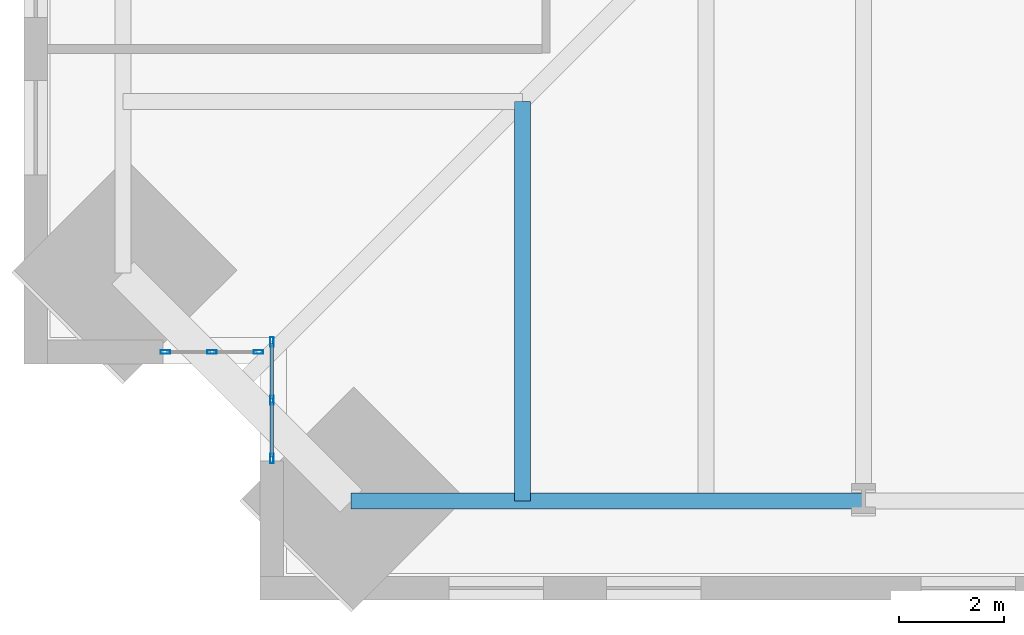
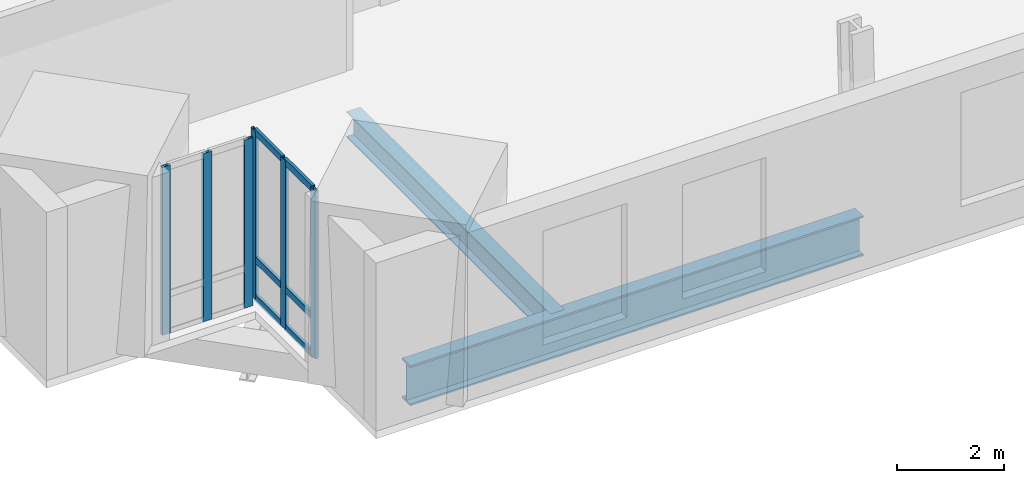
# One storey, part 2 of 15: 12 members, 2 beams, 2 elements without a shape of their own.
"""IFC4 building model written with IfcOpenShell, lengths in metres."""

from ifc_helpers import new_model, si_unit, direction, frame, origin, origin_2d, place, context, subcontext, project, spatial, hollow_rectangle, i_section, extrude, material, material_profile, profile_set, type_object, element, aggregate, save


model = new_model("IFC4")

# Units and contexts
model_context = context("Model", 3, precision=1e-05, world=origin(), true_north=direction((0.0, 1.0)))
body_context = subcontext(model_context, "Body", "Model", "MODEL_VIEW")
ifc_project = project(units=[si_unit("LENGTHUNIT", "METRE"), si_unit("AREAUNIT", "SQUARE_METRE"), si_unit("VOLUMEUNIT", "CUBIC_METRE"), si_unit("PLANEANGLEUNIT", "RADIAN"), si_unit("MASSUNIT", "GRAM", prefix="KILO")], contexts=[model_context])

# Site, building, storey
site_placement = place(None, origin())
site = spatial("IfcSite", under=ifc_project, at=site_placement, CompositionType="ELEMENT")
building_placement = place(site_placement, origin())
building = spatial("IfcBuilding", under=site, at=building_placement, Name="Peilmerk Tower", CompositionType="ELEMENT")
storey_placement = place(building_placement, frame((0.0, 0.0, 217.800048828125)))
storey = spatial("IfcBuildingStorey", under=building, at=storey_placement, Name="L47", CompositionType="ELEMENT", Elevation=217.800048828125)

# Beams
ifc_material_1 = material(Name="Steel S355", Category="steel")
ifc_material_profile_1 = material_profile(ifc_material_1, i_section(OverallWidth=0.302001953125, OverallDepth=0.909912109375, WebThickness=0.02099609375, FlangeThickness=0.0400390625, at=origin_2d()), Name="HEM 900")
ifc_profile_set_1 = profile_set([ifc_material_profile_1], Name="Steel S355")
beam_type_1 = type_object("IfcBeamType", Name="B2 HEM 900 edge beam", PredefinedType="SPANDREL", material=ifc_profile_set_1)
beam_1_placement = place(storey_placement, frame((-17.764404296875, -22.114501953125, -0.625), z_axis=(1.0, 0.0, 0.0), x_axis=(0.0, 1.0, 0.0)))
element("IfcBeam", 1, at=beam_1_placement, inside=storey, type_object=beam_type_1, Name="Edge beam L47", PredefinedType="SPANDREL", context=body_context, shape_type="SweptSolid", body=[
    extrude(i_section(OverallWidth=0.302001953125, OverallDepth=0.909912109375, WebThickness=0.02099609375, FlangeThickness=0.0400390625, at=origin_2d()), origin(), (0.0, 0.0, 1.0), 9.764404296875),
])
ifc_material_profile_2 = material_profile(ifc_material_1, i_section(OverallWidth=0.300048828125, OverallDepth=0.590087890625, WebThickness=0.012939453125, FlangeThickness=0.02490234375, at=origin_2d()), Name="HEA 600")
ifc_profile_set_2 = profile_set([ifc_material_profile_2], Name="Steel S355")
beam_type_2 = type_object("IfcBeamType", Name="B27 HEA 600 floor beam", PredefinedType="BEAM", material=ifc_profile_set_2)
beam_2_placement = place(storey_placement, frame((-14.5, -14.5, -0.465087890625), z_axis=(0.0, -1.0, 0.0), x_axis=(1.0, 0.0, 0.0)))
element("IfcBeam", 2, at=beam_2_placement, inside=storey, type_object=beam_type_2, Name="Floor beam L47", PredefinedType="BEAM", context=body_context, shape_type="SweptSolid", body=[
    extrude(i_section(OverallWidth=0.300048828125, OverallDepth=0.590087890625, WebThickness=0.012939453125, FlangeThickness=0.02490234375, at=origin_2d()), origin(), (0.0, 0.0, 1.0), 7.614501953125),
])

# Curtain wall, members
ifc_material_2 = material(Name="Aluminium stick curtain wall", Category="aluminium")
curtain_wall_type = type_object("IfcCurtainWallType", Name="CW4 stick curtain wall, 2250 module", PredefinedType="NOTDEFINED", material=ifc_material_2)
curtain_wall_1_placement = place(storey_placement, origin())
curtain_wall_1 = element("IfcCurtainWall", 3, at=curtain_wall_1_placement, inside=storey, type_object=curtain_wall_type, Name="Curtain wall CW4 SWA L47", PredefinedType="NOTDEFINED")
ifc_material_3 = material(Name="Aluminium EN AW-6063 T6", Category="aluminium")
ifc_material_profile_3 = material_profile(ifc_material_3, hollow_rectangle(XDim=0.06494140625, YDim=0.179931640625, WallThickness=0.0029296875, at=origin_2d()), Name="AL 180x65x3")
ifc_profile_set_3 = profile_set([ifc_material_profile_3], Name="Aluminium EN AW-6063 T6")
member_type_1 = type_object("IfcMemberType", Name="CW4-M AL 180x65x3 mullion", PredefinedType="MULLION", material=ifc_profile_set_3)
member_1_placement = place(storey_placement, frame((-19.27490234375, -19.08251953125, 0.0), z_axis=(0.0, 0.0, 1.0), x_axis=(1.0, 0.0, 0.0)))
member_1 = element("IfcMember", 4, at=member_1_placement, type_object=member_type_1, Name="CW4 mullion 1", PredefinedType="MULLION", context=body_context, shape_type="SweptSolid", body=[
    extrude(hollow_rectangle(XDim=0.06494140625, YDim=0.179931640625, WallThickness=0.0029296875, at=origin_2d()), origin(), (0.0, 0.0, 1.0), 3.829833984375),
])
member_2_placement = place(storey_placement, frame((-19.27490234375, -20.1943359375, 0.0), z_axis=(0.0, 0.0, 1.0), x_axis=(1.0, 0.0, 0.0)))
member_2 = element("IfcMember", 5, at=member_2_placement, type_object=member_type_1, Name="CW4 mullion 2", PredefinedType="MULLION", context=body_context, shape_type="SweptSolid", body=[
    extrude(hollow_rectangle(XDim=0.06494140625, YDim=0.179931640625, WallThickness=0.0029296875, at=origin_2d()), origin(), (0.0, 0.0, 1.0), 3.829833984375),
])
member_3_placement = place(storey_placement, frame((-19.27490234375, -21.30615234375, 0.0), z_axis=(0.0, 0.0, 1.0), x_axis=(1.0, 0.0, 0.0)))
member_3 = element("IfcMember", 6, at=member_3_placement, type_object=member_type_1, Name="CW4 mullion 3", PredefinedType="MULLION", context=body_context, shape_type="SweptSolid", body=[
    extrude(hollow_rectangle(XDim=0.06494140625, YDim=0.179931640625, WallThickness=0.0029296875, at=origin_2d()), origin(), (0.0, 0.0, 1.0), 3.829833984375),
])

curtain_wall_2_placement = place(storey_placement, origin())
curtain_wall_2 = element("IfcCurtainWall", 7, at=curtain_wall_2_placement, inside=storey, type_object=curtain_wall_type, Name="Curtain wall CW4 SWB L47", PredefinedType="NOTDEFINED")
member_4_placement = place(storey_placement, frame((-19.532470703125, -19.27490234375, 0.0), z_axis=(0.0, 0.0, 1.0), x_axis=(0.0, -1.0, 0.0)))
member_4 = element("IfcMember", 8, at=member_4_placement, type_object=member_type_1, Name="CW4 mullion 1", PredefinedType="MULLION", context=body_context, shape_type="SweptSolid", body=[
    extrude(hollow_rectangle(XDim=0.06494140625, YDim=0.179931640625, WallThickness=0.0029296875, at=origin_2d()), origin(), (0.0, 0.0, 1.0), 3.829833984375),
])
member_5_placement = place(storey_placement, frame((-20.41943359375, -19.27490234375, 0.0), z_axis=(0.0, 0.0, 1.0), x_axis=(0.0, -1.0, 0.0)))
member_5 = element("IfcMember", 9, at=member_5_placement, type_object=member_type_1, Name="CW4 mullion 2", PredefinedType="MULLION", context=body_context, shape_type="SweptSolid", body=[
    extrude(hollow_rectangle(XDim=0.06494140625, YDim=0.179931640625, WallThickness=0.0029296875, at=origin_2d()), origin(), (0.0, 0.0, 1.0), 3.829833984375),
])
member_6_placement = place(storey_placement, frame((-21.30615234375, -19.27490234375, 0.0), z_axis=(0.0, 0.0, 1.0), x_axis=(0.0, -1.0, 0.0)))
member_6 = element("IfcMember", 10, at=member_6_placement, type_object=member_type_1, Name="CW4 mullion 3", PredefinedType="MULLION", context=body_context, shape_type="SweptSolid", body=[
    extrude(hollow_rectangle(XDim=0.06494140625, YDim=0.179931640625, WallThickness=0.0029296875, at=origin_2d()), origin(), (0.0, 0.0, 1.0), 3.829833984375),
])
aggregate(curtain_wall_2, [member_4, member_5, member_6])

# Member
ifc_material_profile_4 = material_profile(ifc_material_3, hollow_rectangle(XDim=0.06494140625, YDim=0.14990234375, WallThickness=0.0029296875, at=origin_2d()), Name="AL 150x65x3")
ifc_profile_set_4 = profile_set([ifc_material_profile_4], Name="Aluminium EN AW-6063 T6")
member_type_2 = type_object("IfcMemberType", Name="CW4-T AL 150x65x3 transom", PredefinedType="USERDEFINED", material=ifc_profile_set_4)
member_7_placement = place(storey_placement, frame((-19.27490234375, -19.114990234375, 0.032470703125), z_axis=(0.0, -1.0, 0.0), x_axis=(1.0, 0.0, 0.0)))
member_7 = element("IfcMember", 11, at=member_7_placement, type_object=member_type_2, Name="CW4 transom 1.1", ObjectType="TRANSOM", PredefinedType="USERDEFINED", context=body_context, shape_type="SweptSolid", body=[
    extrude(hollow_rectangle(XDim=0.06494140625, YDim=0.14990234375, WallThickness=0.0029296875, at=origin_2d()), origin(), (0.0, 0.0, 1.0), 1.046875),
])

member_8_placement = place(storey_placement, frame((-19.27490234375, -19.114990234375, 0.89990234375), z_axis=(0.0, -1.0, 0.0), x_axis=(1.0, 0.0, 0.0)))
member_8 = element("IfcMember", 12, at=member_8_placement, type_object=member_type_2, Name="CW4 transom 1.2", ObjectType="TRANSOM", PredefinedType="USERDEFINED", context=body_context, shape_type="SweptSolid", body=[
    extrude(hollow_rectangle(XDim=0.06494140625, YDim=0.14990234375, WallThickness=0.0029296875, at=origin_2d()), origin(), (0.0, 0.0, 1.0), 1.046875),
])

member_9_placement = place(storey_placement, frame((-19.27490234375, -19.114990234375, 3.79736328125), z_axis=(0.0, -1.0, 0.0), x_axis=(1.0, 0.0, 0.0)))
member_9 = element("IfcMember", 13, at=member_9_placement, type_object=member_type_2, Name="CW4 transom 1.3", ObjectType="TRANSOM", PredefinedType="USERDEFINED", context=body_context, shape_type="SweptSolid", body=[
    extrude(hollow_rectangle(XDim=0.06494140625, YDim=0.14990234375, WallThickness=0.0029296875, at=origin_2d()), origin(), (0.0, 0.0, 1.0), 1.046875),
])

member_10_placement = place(storey_placement, frame((-19.27490234375, -20.226806640625, 0.032470703125), z_axis=(0.0, -1.0, 0.0), x_axis=(1.0, 0.0, 0.0)))
member_10 = element("IfcMember", 14, at=member_10_placement, type_object=member_type_2, Name="CW4 transom 2.1", ObjectType="TRANSOM", PredefinedType="USERDEFINED", context=body_context, shape_type="SweptSolid", body=[
    extrude(hollow_rectangle(XDim=0.06494140625, YDim=0.14990234375, WallThickness=0.0029296875, at=origin_2d()), origin(), (0.0, 0.0, 1.0), 1.046875),
])

member_11_placement = place(storey_placement, frame((-19.27490234375, -20.226806640625, 0.89990234375), z_axis=(0.0, -1.0, 0.0), x_axis=(1.0, 0.0, 0.0)))
member_11 = element("IfcMember", 15, at=member_11_placement, type_object=member_type_2, Name="CW4 transom 2.2", ObjectType="TRANSOM", PredefinedType="USERDEFINED", context=body_context, shape_type="SweptSolid", body=[
    extrude(hollow_rectangle(XDim=0.06494140625, YDim=0.14990234375, WallThickness=0.0029296875, at=origin_2d()), origin(), (0.0, 0.0, 1.0), 1.046875),
])

member_12_placement = place(storey_placement, frame((-19.27490234375, -20.226806640625, 3.79736328125), z_axis=(0.0, -1.0, 0.0), x_axis=(1.0, 0.0, 0.0)))
member_12 = element("IfcMember", 16, at=member_12_placement, type_object=member_type_2, Name="CW4 transom 2.3", ObjectType="TRANSOM", PredefinedType="USERDEFINED", context=body_context, shape_type="SweptSolid", body=[
    extrude(hollow_rectangle(XDim=0.06494140625, YDim=0.14990234375, WallThickness=0.0029296875, at=origin_2d()), origin(), (0.0, 0.0, 1.0), 1.046875),
])

aggregate(curtain_wall_1, [member_1, member_2, member_3, member_7, member_8, member_9, member_10, member_11, member_12])

save(model, "model.ifc")
